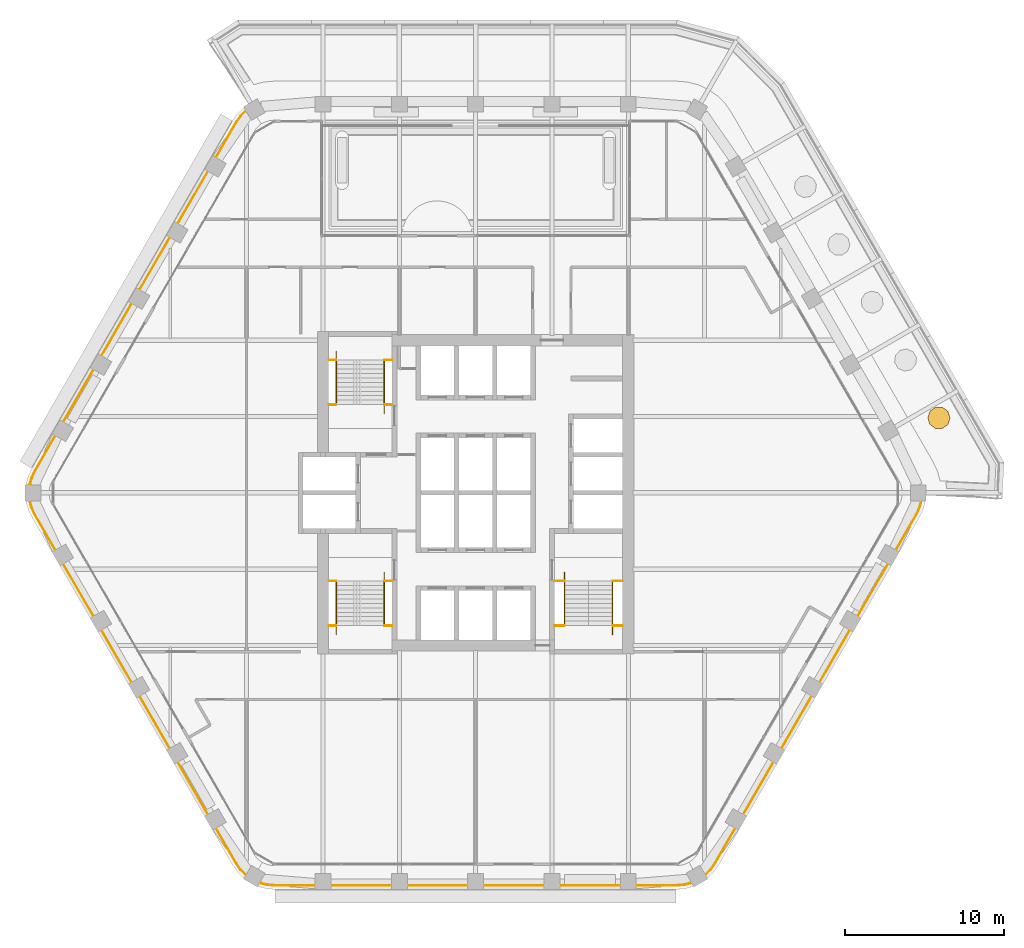
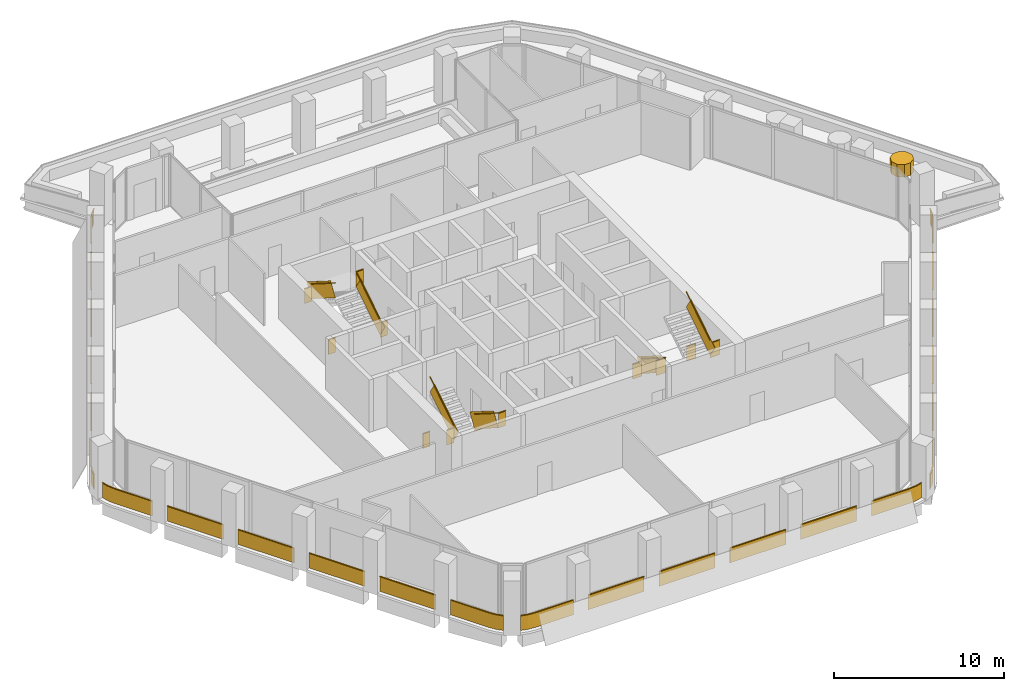
# One storey, part 16 of 17: 10 railings, 1 covering.
"""IFC4 building model written with IfcOpenShell, lengths in metres."""

from ifc_helpers import new_model, si_unit, direction, frame, frame_2d, origin, origin_2d, place, context, subcontext, project, spatial, polyline, rectangle, outline, extrude, material, layer, layer_set, type_object, element, save


model = new_model("IFC4")

# Units and contexts
model_context = context("Model", 3, precision=1e-05, world=origin(), true_north=direction((0.0, 1.0)))
body_context = subcontext(model_context, "Body", "Model", "MODEL_VIEW")
ifc_project = project(units=[si_unit("LENGTHUNIT", "METRE"), si_unit("AREAUNIT", "SQUARE_METRE"), si_unit("VOLUMEUNIT", "CUBIC_METRE"), si_unit("PLANEANGLEUNIT", "RADIAN"), si_unit("MASSUNIT", "GRAM", prefix="KILO")], contexts=[model_context])

# Site, building, storey
site_placement = place(None, origin())
site = spatial("IfcSite", under=ifc_project, at=site_placement, CompositionType="ELEMENT")
building_placement = place(site_placement, origin())
building = spatial("IfcBuilding", under=site, at=building_placement, Name="Kolab Exchange Tower", CompositionType="ELEMENT")
storey_placement = place(building_placement, frame((0.0, 0.0, 166.10009765625)))
storey = spatial("IfcBuildingStorey", under=building, at=storey_placement, Name="L34", CompositionType="ELEMENT", Elevation=166.10009765625)

# Railings
ifc_material_1 = material(Name="Stainless steel 316", Category="steel")
railing_type_1 = type_object("IfcRailingType", Name="GUARD 1100", PredefinedType="GUARDRAIL", material=ifc_material_1)
railing_1_placement = place(storey_placement, frame((-9.25, 5.550048828125, 0.0)))
element("IfcRailing", 1, at=railing_1_placement, inside=storey, type_object=railing_type_1, Name="Guard ST1", PredefinedType="GUARDRAIL", context=body_context, shape_type="SweptSolid", body=[
    extrude(rectangle(XDim=0.05, YDim=0.05, at=origin_2d()), frame((0.0, 0.0, 1.0751953125), z_axis=(1.0, 0.0, 0.0), x_axis=(0.0, 1.0, 0.0)), (0.0, 0.0, 1.0), 0.489990234375),
    extrude(rectangle(XDim=0.012, YDim=1.05009765625, at=frame_2d((0.0, 0.525146484375))), frame((0.0, 0.0, 0.0), z_axis=(1.0, 0.0, 0.0), x_axis=(0.0, 1.0, 0.0)), (0.0, 0.0, 1.0), 0.489990234375),
    extrude(rectangle(XDim=0.05, YDim=0.05, at=origin_2d()), frame((3.510009765625, 0.0, 1.0751953125), z_axis=(1.0, 0.0, 0.0), x_axis=(0.0, 1.0, 0.0)), (0.0, 0.0, 1.0), 0.489990234375),
    extrude(rectangle(XDim=0.012, YDim=1.05009765625, at=frame_2d((0.0, 0.525146484375))), frame((3.510009765625, 0.0, 0.0), z_axis=(1.0, 0.0, 0.0), x_axis=(0.0, 1.0, 0.0)), (0.0, 0.0, 1.0), 0.489990234375),
    extrude(rectangle(XDim=0.05, YDim=0.05, at=origin_2d()), frame((0.0, 2.800048828125, 3.025146484375), z_axis=(1.0, 0.0, 0.0), x_axis=(0.0, 1.0, 0.0)), (0.0, 0.0, 1.0), 0.489990234375),
    extrude(rectangle(XDim=0.012, YDim=1.05009765625, at=frame_2d((0.0, 0.525146484375))), frame((0.0, 2.800048828125, 1.949951171875), z_axis=(1.0, 0.0, 0.0), x_axis=(0.0, 1.0, 0.0)), (0.0, 0.0, 1.0), 0.489990234375),
    extrude(rectangle(XDim=0.05, YDim=0.05, at=origin_2d()), frame((3.510009765625, 2.800048828125, 3.025146484375), z_axis=(1.0, 0.0, 0.0), x_axis=(0.0, 1.0, 0.0)), (0.0, 0.0, 1.0), 0.489990234375),
    extrude(rectangle(XDim=0.012, YDim=1.05009765625, at=frame_2d((0.0, 0.525146484375))), frame((3.510009765625, 2.800048828125, 1.949951171875), z_axis=(1.0, 0.0, 0.0), x_axis=(0.0, 1.0, 0.0)), (0.0, 0.0, 1.0), 0.489990234375),
])
railing_2_placement = place(storey_placement, frame((-5.739990234375, 5.550048828125, 0.17724609375)))
element("IfcRailing", 2, at=railing_2_placement, inside=storey, type_object=railing_type_1, Name="Handrail guard ST1", PredefinedType="GUARDRAIL", context=body_context, shape_type="SweptSolid", body=[
    extrude(rectangle(XDim=0.05, YDim=0.05, at=origin_2d()), frame((0.0, 0.0, 1.0751953125), z_axis=(0.0, 0.844908973607, 0.534910110503), x_axis=(-1.0, 0.0, 0.0)), (0.0, 0.0, 1.0), 3.31396484375),
    extrude(rectangle(XDim=0.012, YDim=1.05009765625, at=frame_2d((0.0, 0.525146484375))), frame((0.0, 0.0, 0.0), z_axis=(0.0, 0.844908973607, 0.534910110503), x_axis=(-1.0, 0.0, 0.0)), (0.0, 0.0, 1.0), 3.31396484375),
    extrude(rectangle(XDim=0.05, YDim=0.05, at=origin_2d()), frame((-3.02001953125, 2.800048828125, 3.025146484375), z_axis=(0.0, -0.844908973607, 0.534910110503), x_axis=(1.0, 0.0, 0.0)), (0.0, 0.0, 1.0), 3.31396484375),
    extrude(rectangle(XDim=0.012, YDim=1.05009765625, at=frame_2d((0.0, 0.525146484375))), frame((-3.02001953125, 2.800048828125, 1.949951171875), z_axis=(0.0, -0.844908973607, 0.534910110503), x_axis=(1.0, 0.0, 0.0)), (0.0, 0.0, 1.0), 3.31396484375),
])
railing_3_placement = place(storey_placement, frame((-9.25, -5.550048828125, 0.0)))
element("IfcRailing", 3, at=railing_3_placement, inside=storey, type_object=railing_type_1, Name="Guard ST3", PredefinedType="GUARDRAIL", context=body_context, shape_type="SweptSolid", body=[
    extrude(rectangle(XDim=0.05, YDim=0.05, at=origin_2d()), frame((0.0, 0.0, 1.0751953125), z_axis=(1.0, 0.0, 0.0), x_axis=(0.0, 1.0, 0.0)), (0.0, 0.0, 1.0), 0.489990234375),
    extrude(rectangle(XDim=0.012, YDim=1.05009765625, at=frame_2d((0.0, 0.525146484375))), frame((0.0, 0.0, 0.0), z_axis=(1.0, 0.0, 0.0), x_axis=(0.0, 1.0, 0.0)), (0.0, 0.0, 1.0), 0.489990234375),
    extrude(rectangle(XDim=0.05, YDim=0.05, at=origin_2d()), frame((3.510009765625, 0.0, 1.0751953125), z_axis=(1.0, 0.0, 0.0), x_axis=(0.0, 1.0, 0.0)), (0.0, 0.0, 1.0), 0.489990234375),
    extrude(rectangle(XDim=0.012, YDim=1.05009765625, at=frame_2d((0.0, 0.525146484375))), frame((3.510009765625, 0.0, 0.0), z_axis=(1.0, 0.0, 0.0), x_axis=(0.0, 1.0, 0.0)), (0.0, 0.0, 1.0), 0.489990234375),
    extrude(rectangle(XDim=0.05, YDim=0.05, at=origin_2d()), frame((0.0, -2.800048828125, 3.025146484375), z_axis=(1.0, 0.0, 0.0), x_axis=(0.0, 1.0, 0.0)), (0.0, 0.0, 1.0), 0.489990234375),
    extrude(rectangle(XDim=0.012, YDim=1.05009765625, at=frame_2d((0.0, 0.525146484375))), frame((0.0, -2.800048828125, 1.949951171875), z_axis=(1.0, 0.0, 0.0), x_axis=(0.0, 1.0, 0.0)), (0.0, 0.0, 1.0), 0.489990234375),
    extrude(rectangle(XDim=0.05, YDim=0.05, at=origin_2d()), frame((3.510009765625, -2.800048828125, 3.025146484375), z_axis=(1.0, 0.0, 0.0), x_axis=(0.0, 1.0, 0.0)), (0.0, 0.0, 1.0), 0.489990234375),
    extrude(rectangle(XDim=0.012, YDim=1.05009765625, at=frame_2d((0.0, 0.525146484375))), frame((3.510009765625, -2.800048828125, 1.949951171875), z_axis=(1.0, 0.0, 0.0), x_axis=(0.0, 1.0, 0.0)), (0.0, 0.0, 1.0), 0.489990234375),
])
railing_4_placement = place(storey_placement, frame((-5.739990234375, -5.550048828125, 0.17724609375)))
element("IfcRailing", 4, at=railing_4_placement, inside=storey, type_object=railing_type_1, Name="Handrail guard ST3", PredefinedType="GUARDRAIL", context=body_context, shape_type="SweptSolid", body=[
    extrude(rectangle(XDim=0.05, YDim=0.05, at=origin_2d()), frame((0.0, 0.0, 1.0751953125), z_axis=(0.0, -0.844908973607, 0.534910110503), x_axis=(1.0, 0.0, 0.0)), (0.0, 0.0, 1.0), 3.31396484375),
    extrude(rectangle(XDim=0.012, YDim=1.05009765625, at=frame_2d((0.0, 0.525146484375))), frame((0.0, 0.0, 0.0), z_axis=(0.0, -0.844908973607, 0.534910110503), x_axis=(1.0, 0.0, 0.0)), (0.0, 0.0, 1.0), 3.31396484375),
    extrude(rectangle(XDim=0.05, YDim=0.05, at=origin_2d()), frame((-3.02001953125, -2.800048828125, 3.025146484375), z_axis=(0.0, 0.844908973607, 0.534910110503), x_axis=(-1.0, 0.0, 0.0)), (0.0, 0.0, 1.0), 3.31396484375),
    extrude(rectangle(XDim=0.012, YDim=1.05009765625, at=frame_2d((0.0, 0.525146484375))), frame((-3.02001953125, -2.800048828125, 1.949951171875), z_axis=(0.0, 0.844908973607, 0.534910110503), x_axis=(-1.0, 0.0, 0.0)), (0.0, 0.0, 1.0), 3.31396484375),
])
railing_5_placement = place(storey_placement, frame((4.949951171875, -5.550048828125, 0.0)))
element("IfcRailing", 5, at=railing_5_placement, inside=storey, type_object=railing_type_1, Name="Guard ST2", PredefinedType="GUARDRAIL", context=body_context, shape_type="SweptSolid", body=[
    extrude(rectangle(XDim=0.05, YDim=0.05, at=origin_2d()), frame((0.0, 0.0, 1.0751953125), z_axis=(1.0, 0.0, 0.0), x_axis=(0.0, 1.0, 0.0)), (0.0, 0.0, 1.0), 0.64013671875),
    extrude(rectangle(XDim=0.012, YDim=1.05009765625, at=frame_2d((0.0, 0.525146484375))), frame((0.0, 0.0, 0.0), z_axis=(1.0, 0.0, 0.0), x_axis=(0.0, 1.0, 0.0)), (0.0, 0.0, 1.0), 0.64013671875),
    extrude(rectangle(XDim=0.05, YDim=0.05, at=origin_2d()), frame((3.66015625, 0.0, 1.0751953125), z_axis=(1.0, 0.0, 0.0), x_axis=(0.0, 1.0, 0.0)), (0.0, 0.0, 1.0), 0.639892578125),
    extrude(rectangle(XDim=0.012, YDim=1.05009765625, at=frame_2d((0.0, 0.525146484375))), frame((3.66015625, 0.0, 0.0), z_axis=(1.0, 0.0, 0.0), x_axis=(0.0, 1.0, 0.0)), (0.0, 0.0, 1.0), 0.639892578125),
    extrude(rectangle(XDim=0.05, YDim=0.05, at=origin_2d()), frame((0.0, -2.800048828125, 3.025146484375), z_axis=(1.0, 0.0, 0.0), x_axis=(0.0, 1.0, 0.0)), (0.0, 0.0, 1.0), 0.64013671875),
    extrude(rectangle(XDim=0.012, YDim=1.05009765625, at=frame_2d((0.0, 0.525146484375))), frame((0.0, -2.800048828125, 1.949951171875), z_axis=(1.0, 0.0, 0.0), x_axis=(0.0, 1.0, 0.0)), (0.0, 0.0, 1.0), 0.64013671875),
    extrude(rectangle(XDim=0.05, YDim=0.05, at=origin_2d()), frame((3.66015625, -2.800048828125, 3.025146484375), z_axis=(1.0, 0.0, 0.0), x_axis=(0.0, 1.0, 0.0)), (0.0, 0.0, 1.0), 0.639892578125),
    extrude(rectangle(XDim=0.012, YDim=1.05009765625, at=frame_2d((0.0, 0.525146484375))), frame((3.66015625, -2.800048828125, 1.949951171875), z_axis=(1.0, 0.0, 0.0), x_axis=(0.0, 1.0, 0.0)), (0.0, 0.0, 1.0), 0.639892578125),
])
railing_6_placement = place(storey_placement, frame((5.590087890625, -5.550048828125, 0.17724609375)))
element("IfcRailing", 6, at=railing_6_placement, inside=storey, type_object=railing_type_1, Name="Handrail guard ST2", PredefinedType="GUARDRAIL", context=body_context, shape_type="SweptSolid", body=[
    extrude(rectangle(XDim=0.05, YDim=0.05, at=origin_2d()), frame((0.0, 0.0, 1.0751953125), z_axis=(0.0, -0.844908973607, 0.534910110503), x_axis=(1.0, 0.0, 0.0)), (0.0, 0.0, 1.0), 3.31396484375),
    extrude(rectangle(XDim=0.012, YDim=1.05009765625, at=frame_2d((0.0, 0.525146484375))), frame((0.0, 0.0, 0.0), z_axis=(0.0, -0.844908973607, 0.534910110503), x_axis=(1.0, 0.0, 0.0)), (0.0, 0.0, 1.0), 3.31396484375),
    extrude(rectangle(XDim=0.05, YDim=0.05, at=origin_2d()), frame((3.02001953125, -2.800048828125, 3.025146484375), z_axis=(0.0, 0.844908973607, 0.534910110503), x_axis=(-1.0, 0.0, 0.0)), (0.0, 0.0, 1.0), 3.31396484375),
    extrude(rectangle(XDim=0.012, YDim=1.05009765625, at=frame_2d((0.0, 0.525146484375))), frame((3.02001953125, -2.800048828125, 1.949951171875), z_axis=(0.0, 0.844908973607, 0.534910110503), x_axis=(-1.0, 0.0, 0.0)), (0.0, 0.0, 1.0), 3.31396484375),
])
ifc_material_2 = material(Name="Steel S235", Category="steel")
railing_type_2 = type_object("IfcRailingType", Name="GUARD 1100 GLASS BALUSTRADE AND STEEL TOP RAIL", PredefinedType="GUARDRAIL", material=ifc_material_2)
railing_7_placement = place(storey_placement, frame((14.4501953125, -24.033447265625, 0.0)))
element("IfcRailing", 7, at=railing_7_placement, inside=storey, type_object=railing_type_2, Name="Guard", PredefinedType="GUARDRAIL", context=body_context, shape_type="SweptSolid", body=[
    extrude(rectangle(XDim=0.05, YDim=0.05, at=origin_2d()), frame((0.0, 0.0, 1.0751953125), z_axis=(0.70737286085, 0.706840601361, 0.0), x_axis=(-0.706840601361, 0.70737286085, 0.0)), (0.0, 0.0, 1.0), 0.458740234375),
    extrude(rectangle(XDim=0.012, YDim=1.05009765625, at=frame_2d((0.0, 0.525146484375))), frame((0.0, 0.0, 0.0), z_axis=(0.70737286085, 0.706840601361, 0.0), x_axis=(-0.706840601361, 0.70737286085, 0.0)), (0.0, 0.0, 1.0), 0.458740234375),
    extrude(rectangle(XDim=0.05, YDim=0.05, at=origin_2d()), frame((0.324462890625, 0.32421875, 1.0751953125), z_axis=(0.573599091554, 0.819136180478, 0.0), x_axis=(-0.819136180478, 0.573599091554, 0.0)), (0.0, 0.0, 1.0), 0.479248046875),
    extrude(rectangle(XDim=0.012, YDim=1.05009765625, at=frame_2d((0.0, 0.525146484375))), frame((0.324462890625, 0.32421875, 0.0), z_axis=(0.573599091554, 0.819136180478, 0.0), x_axis=(-0.819136180478, 0.573599091554, 0.0)), (0.0, 0.0, 1.0), 0.479248046875),
    extrude(rectangle(XDim=0.05, YDim=0.05, at=origin_2d()), frame((0.599365234375, 0.716796875, 1.0751953125), z_axis=(0.499952873616, 0.866052610505, 0.0), x_axis=(-0.866052610505, 0.499952873616, 0.0)), (0.0, 0.0, 1.0), 2.568115234375),
    extrude(rectangle(XDim=0.012, YDim=1.05009765625, at=frame_2d((0.0, 0.525146484375))), frame((0.599365234375, 0.716796875, 0.0), z_axis=(0.499952873616, 0.866052610505, 0.0), x_axis=(-0.866052610505, 0.499952873616, 0.0)), (0.0, 0.0, 1.0), 2.568115234375),
    extrude(rectangle(XDim=0.05, YDim=0.05, at=origin_2d()), frame((2.38330078125, 3.806884765625, 1.0751953125), z_axis=(0.499994975061, 0.866028304915, 0.0), x_axis=(-0.866028304915, 0.499994975061, 0.0)), (0.0, 0.0, 1.0), 3.7998046875),
    extrude(rectangle(XDim=0.012, YDim=1.05009765625, at=frame_2d((0.0, 0.525146484375))), frame((2.38330078125, 3.806884765625, 0.0), z_axis=(0.499994975061, 0.866028304915, 0.0), x_axis=(-0.866028304915, 0.499994975061, 0.0)), (0.0, 0.0, 1.0), 3.7998046875),
    extrude(rectangle(XDim=0.05, YDim=0.05, at=origin_2d()), frame((4.783203125, 7.9638671875, 1.0751953125), z_axis=(0.500043160704, 0.866000483506, 0.0), x_axis=(-0.866000483506, 0.500043160704, 0.0)), (0.0, 0.0, 1.0), 3.800048828125),
    extrude(rectangle(XDim=0.012, YDim=1.05009765625, at=frame_2d((0.0, 0.525146484375))), frame((4.783203125, 7.9638671875, 0.0), z_axis=(0.500043160704, 0.866000483506, 0.0), x_axis=(-0.866000483506, 0.500043160704, 0.0)), (0.0, 0.0, 1.0), 3.800048828125),
    extrude(rectangle(XDim=0.05, YDim=0.05, at=origin_2d()), frame((7.183349609375, 12.12060546875, 1.0751953125), z_axis=(0.499967155389, 0.866044365799, 0.0), x_axis=(-0.866044365799, 0.499967155389, 0.0)), (0.0, 0.0, 1.0), 3.800048828125),
    extrude(rectangle(XDim=0.012, YDim=1.05009765625, at=frame_2d((0.0, 0.525146484375))), frame((7.183349609375, 12.12060546875, 0.0), z_axis=(0.499967155389, 0.866044365799, 0.0), x_axis=(-0.866044365799, 0.499967155389, 0.0)), (0.0, 0.0, 1.0), 3.800048828125),
    extrude(rectangle(XDim=0.05, YDim=0.05, at=origin_2d()), frame((9.583251953125, 16.277587890625, 1.0751953125), z_axis=(0.500015340139, 0.86601654697, 0.0), x_axis=(-0.86601654697, 0.500015340139, 0.0)), (0.0, 0.0, 1.0), 3.80029296875),
    extrude(rectangle(XDim=0.012, YDim=1.05009765625, at=frame_2d((0.0, 0.525146484375))), frame((9.583251953125, 16.277587890625, 0.0), z_axis=(0.500015340139, 0.86601654697, 0.0), x_axis=(-0.86601654697, 0.500015340139, 0.0)), (0.0, 0.0, 1.0), 3.80029296875),
    extrude(rectangle(XDim=0.05, YDim=0.05, at=origin_2d()), frame((11.9833984375, 20.4345703125, 1.0751953125), z_axis=(0.499994038704, 0.866028845513, 0.0), x_axis=(-0.866028845513, 0.499994038704, 0.0)), (0.0, 0.0, 1.0), 2.56787109375),
    extrude(rectangle(XDim=0.012, YDim=1.05009765625, at=frame_2d((0.0, 0.525146484375))), frame((11.9833984375, 20.4345703125, 0.0), z_axis=(0.499994038704, 0.866028845513, 0.0), x_axis=(-0.866028845513, 0.499994038704, 0.0)), (0.0, 0.0, 1.0), 2.56787109375),
    extrude(rectangle(XDim=0.05, YDim=0.05, at=origin_2d()), frame((13.267333984375, 22.658447265625, 1.0751953125), z_axis=(0.422801802984, 0.906222177721, 0.0), x_axis=(-0.906222177721, 0.422801802984, 0.0)), (0.0, 0.0, 1.0), 0.479248046875),
    extrude(rectangle(XDim=0.012, YDim=1.05009765625, at=frame_2d((0.0, 0.525146484375))), frame((13.267333984375, 22.658447265625, 0.0), z_axis=(0.422801802984, 0.906222177721, 0.0), x_axis=(-0.906222177721, 0.422801802984, 0.0)), (0.0, 0.0, 1.0), 0.479248046875),
    extrude(rectangle(XDim=0.05, YDim=0.05, at=origin_2d()), frame((13.469970703125, 23.0927734375, 1.0751953125), z_axis=(0.25865627591, 0.965969425465, 0.0), x_axis=(-0.965969425465, 0.25865627591, 0.0)), (0.0, 0.0, 1.0), 0.458740234375),
    extrude(rectangle(XDim=0.012, YDim=1.05009765625, at=frame_2d((0.0, 0.525146484375))), frame((13.469970703125, 23.0927734375, 0.0), z_axis=(0.25865627591, 0.965969425465, 0.0), x_axis=(-0.965969425465, 0.25865627591, 0.0)), (0.0, 0.0, 1.0), 0.458740234375),
])
railing_8_placement = place(storey_placement, frame((-13.588623046875, -24.531005859375, 0.0)))
element("IfcRailing", 8, at=railing_8_placement, inside=storey, type_object=railing_type_2, Name="Guard", PredefinedType="GUARDRAIL", context=body_context, shape_type="SweptSolid", body=[
    extrude(rectangle(XDim=0.05, YDim=0.05, at=origin_2d()), frame((0.0, 0.0, 1.0751953125), z_axis=(0.965969425465, -0.25865627591, 0.0), x_axis=(0.25865627591, 0.965969425465, 0.0)), (0.0, 0.0, 1.0), 0.458740234375),
    extrude(rectangle(XDim=0.012, YDim=1.05009765625, at=frame_2d((0.0, 0.525146484375))), frame((0.0, 0.0, 0.0), z_axis=(0.965969425465, -0.25865627591, 0.0), x_axis=(0.25865627591, 0.965969425465, 0.0)), (0.0, 0.0, 1.0), 0.458740234375),
    extrude(rectangle(XDim=0.05, YDim=0.05, at=origin_2d()), frame((0.443115234375, -0.11865234375, 1.0751953125), z_axis=(0.996156034798, -0.087596542937, 0.0), x_axis=(0.087596542937, 0.996156034798, 0.0)), (0.0, 0.0, 1.0), 0.4794921875),
    extrude(rectangle(XDim=0.012, YDim=1.05009765625, at=frame_2d((0.0, 0.525146484375))), frame((0.443115234375, -0.11865234375, 0.0), z_axis=(0.996156034798, -0.087596542937, 0.0), x_axis=(0.087596542937, 0.996156034798, 0.0)), (0.0, 0.0, 1.0), 0.4794921875),
    extrude(rectangle(XDim=0.05, YDim=0.05, at=origin_2d()), frame((0.920654296875, -0.16064453125, 1.0751953125), z_axis=(1.0, 0.0, 0.0), x_axis=(0.0, 1.0, 0.0)), (0.0, 0.0, 1.0), 2.56787109375),
    extrude(rectangle(XDim=0.012, YDim=1.05009765625, at=frame_2d((0.0, 0.525146484375))), frame((0.920654296875, -0.16064453125, 0.0), z_axis=(1.0, 0.0, 0.0), x_axis=(0.0, 1.0, 0.0)), (0.0, 0.0, 1.0), 2.56787109375),
    extrude(rectangle(XDim=0.05, YDim=0.05, at=origin_2d()), frame((4.488525390625, -0.16064453125, 1.0751953125), z_axis=(1.0, 0.0, 0.0), x_axis=(0.0, 1.0, 0.0)), (0.0, 0.0, 1.0), 3.800048828125),
    extrude(rectangle(XDim=0.012, YDim=1.05009765625, at=frame_2d((0.0, 0.525146484375))), frame((4.488525390625, -0.16064453125, 0.0), z_axis=(1.0, 0.0, 0.0), x_axis=(0.0, 1.0, 0.0)), (0.0, 0.0, 1.0), 3.800048828125),
    extrude(rectangle(XDim=0.05, YDim=0.05, at=origin_2d()), frame((9.28857421875, -0.16064453125, 1.0751953125), z_axis=(1.0, 0.0, 0.0), x_axis=(0.0, 1.0, 0.0)), (0.0, 0.0, 1.0), 3.800048828125),
    extrude(rectangle(XDim=0.012, YDim=1.05009765625, at=frame_2d((0.0, 0.525146484375))), frame((9.28857421875, -0.16064453125, 0.0), z_axis=(1.0, 0.0, 0.0), x_axis=(0.0, 1.0, 0.0)), (0.0, 0.0, 1.0), 3.800048828125),
    extrude(rectangle(XDim=0.05, YDim=0.05, at=origin_2d()), frame((14.088623046875, -0.16064453125, 1.0751953125), z_axis=(1.0, 0.0, 0.0), x_axis=(0.0, 1.0, 0.0)), (0.0, 0.0, 1.0), 3.800048828125),
    extrude(rectangle(XDim=0.012, YDim=1.05009765625, at=frame_2d((0.0, 0.525146484375))), frame((14.088623046875, -0.16064453125, 0.0), z_axis=(1.0, 0.0, 0.0), x_axis=(0.0, 1.0, 0.0)), (0.0, 0.0, 1.0), 3.800048828125),
    extrude(rectangle(XDim=0.05, YDim=0.05, at=origin_2d()), frame((18.888671875, -0.16064453125, 1.0751953125), z_axis=(1.0, 0.0, 0.0), x_axis=(0.0, 1.0, 0.0)), (0.0, 0.0, 1.0), 3.800048828125),
    extrude(rectangle(XDim=0.012, YDim=1.05009765625, at=frame_2d((0.0, 0.525146484375))), frame((18.888671875, -0.16064453125, 0.0), z_axis=(1.0, 0.0, 0.0), x_axis=(0.0, 1.0, 0.0)), (0.0, 0.0, 1.0), 3.800048828125),
    extrude(rectangle(XDim=0.05, YDim=0.05, at=origin_2d()), frame((23.688720703125, -0.16064453125, 1.0751953125), z_axis=(1.0, 0.0, 0.0), x_axis=(0.0, 1.0, 0.0)), (0.0, 0.0, 1.0), 2.56787109375),
    extrude(rectangle(XDim=0.012, YDim=1.05009765625, at=frame_2d((0.0, 0.525146484375))), frame((23.688720703125, -0.16064453125, 0.0), z_axis=(1.0, 0.0, 0.0), x_axis=(0.0, 1.0, 0.0)), (0.0, 0.0, 1.0), 2.56787109375),
    extrude(rectangle(XDim=0.05, YDim=0.05, at=origin_2d()), frame((26.256591796875, -0.16064453125, 1.0751953125), z_axis=(0.996156034798, 0.087596542937, 0.0), x_axis=(-0.087596542937, 0.996156034798, 0.0)), (0.0, 0.0, 1.0), 0.4794921875),
    extrude(rectangle(XDim=0.012, YDim=1.05009765625, at=frame_2d((0.0, 0.525146484375))), frame((26.256591796875, -0.16064453125, 0.0), z_axis=(0.996156034798, 0.087596542937, 0.0), x_axis=(-0.087596542937, 0.996156034798, 0.0)), (0.0, 0.0, 1.0), 0.4794921875),
    extrude(rectangle(XDim=0.05, YDim=0.05, at=origin_2d()), frame((26.734130859375, -0.11865234375, 1.0751953125), z_axis=(0.965969425465, 0.25865627591, 0.0), x_axis=(-0.25865627591, 0.965969425465, 0.0)), (0.0, 0.0, 1.0), 0.458740234375),
    extrude(rectangle(XDim=0.012, YDim=1.05009765625, at=frame_2d((0.0, 0.525146484375))), frame((26.734130859375, -0.11865234375, 0.0), z_axis=(0.965969425465, 0.25865627591, 0.0), x_axis=(-0.25865627591, 0.965969425465, 0.0)), (0.0, 0.0, 1.0), 0.458740234375),
])
railing_9_placement = place(storey_placement, frame((-28.038818359375, -0.49755859375, 0.0)))
element("IfcRailing", 9, at=railing_9_placement, inside=storey, type_object=railing_type_2, Name="Guard", PredefinedType="GUARDRAIL", context=body_context, shape_type="SweptSolid", body=[
    extrude(rectangle(XDim=0.05, YDim=0.05, at=origin_2d()), frame((0.0, 0.0, 1.0751953125), z_axis=(0.25865627591, -0.965969425465, 0.0), x_axis=(0.965969425465, 0.25865627591, 0.0)), (0.0, 0.0, 1.0), 0.458740234375),
    extrude(rectangle(XDim=0.012, YDim=1.05009765625, at=frame_2d((0.0, 0.525146484375))), frame((0.0, 0.0, 0.0), z_axis=(0.25865627591, -0.965969425465, 0.0), x_axis=(0.965969425465, 0.25865627591, 0.0)), (0.0, 0.0, 1.0), 0.458740234375),
    extrude(rectangle(XDim=0.05, YDim=0.05, at=origin_2d()), frame((0.11865234375, -0.443115234375, 1.0751953125), z_axis=(0.422801802984, -0.906222177721, 0.0), x_axis=(0.906222177721, 0.422801802984, 0.0)), (0.0, 0.0, 1.0), 0.479248046875),
    extrude(rectangle(XDim=0.012, YDim=1.05009765625, at=frame_2d((0.0, 0.525146484375))), frame((0.11865234375, -0.443115234375, 0.0), z_axis=(0.422801802984, -0.906222177721, 0.0), x_axis=(0.906222177721, 0.422801802984, 0.0)), (0.0, 0.0, 1.0), 0.479248046875),
    extrude(rectangle(XDim=0.05, YDim=0.05, at=origin_2d()), frame((0.3212890625, -0.87744140625, 1.0751953125), z_axis=(0.499994038704, -0.866028845513, 0.0), x_axis=(0.866028845513, 0.499994038704, 0.0)), (0.0, 0.0, 1.0), 2.56787109375),
    extrude(rectangle(XDim=0.012, YDim=1.05009765625, at=frame_2d((0.0, 0.525146484375))), frame((0.3212890625, -0.87744140625, 0.0), z_axis=(0.499994038704, -0.866028845513, 0.0), x_axis=(0.866028845513, 0.499994038704, 0.0)), (0.0, 0.0, 1.0), 2.56787109375),
    extrude(rectangle(XDim=0.05, YDim=0.05, at=origin_2d()), frame((2.105224609375, -3.96728515625, 1.0751953125), z_axis=(0.500015340139, -0.86601654697, 0.0), x_axis=(0.86601654697, 0.500015340139, 0.0)), (0.0, 0.0, 1.0), 3.80029296875),
    extrude(rectangle(XDim=0.012, YDim=1.05009765625, at=frame_2d((0.0, 0.525146484375))), frame((2.105224609375, -3.96728515625, 0.0), z_axis=(0.500015340139, -0.86601654697, 0.0), x_axis=(0.86601654697, 0.500015340139, 0.0)), (0.0, 0.0, 1.0), 3.80029296875),
    extrude(rectangle(XDim=0.05, YDim=0.05, at=origin_2d()), frame((4.50537109375, -8.124267578125, 1.0751953125), z_axis=(0.499967155389, -0.866044365799, 0.0), x_axis=(0.866044365799, 0.499967155389, 0.0)), (0.0, 0.0, 1.0), 3.800048828125),
    extrude(rectangle(XDim=0.012, YDim=1.05009765625, at=frame_2d((0.0, 0.525146484375))), frame((4.50537109375, -8.124267578125, 0.0), z_axis=(0.499967155389, -0.866044365799, 0.0), x_axis=(0.866044365799, 0.499967155389, 0.0)), (0.0, 0.0, 1.0), 3.800048828125),
    extrude(rectangle(XDim=0.05, YDim=0.05, at=origin_2d()), frame((6.9052734375, -12.28125, 1.0751953125), z_axis=(0.500043160704, -0.866000483506, 0.0), x_axis=(0.866000483506, 0.500043160704, 0.0)), (0.0, 0.0, 1.0), 3.800048828125),
    extrude(rectangle(XDim=0.012, YDim=1.05009765625, at=frame_2d((0.0, 0.525146484375))), frame((6.9052734375, -12.28125, 0.0), z_axis=(0.500043160704, -0.866000483506, 0.0), x_axis=(0.866000483506, 0.500043160704, 0.0)), (0.0, 0.0, 1.0), 3.800048828125),
    extrude(rectangle(XDim=0.05, YDim=0.05, at=origin_2d()), frame((9.305419921875, -16.438232421875, 1.0751953125), z_axis=(0.499994975061, -0.866028304915, 0.0), x_axis=(0.866028304915, 0.499994975061, 0.0)), (0.0, 0.0, 1.0), 3.7998046875),
    extrude(rectangle(XDim=0.012, YDim=1.05009765625, at=frame_2d((0.0, 0.525146484375))), frame((9.305419921875, -16.438232421875, 0.0), z_axis=(0.499994975061, -0.866028304915, 0.0), x_axis=(0.866028304915, 0.499994975061, 0.0)), (0.0, 0.0, 1.0), 3.7998046875),
    extrude(rectangle(XDim=0.05, YDim=0.05, at=origin_2d()), frame((11.705322265625, -20.594970703125, 1.0751953125), z_axis=(0.499952873616, -0.866052610505, 0.0), x_axis=(0.866052610505, 0.499952873616, 0.0)), (0.0, 0.0, 1.0), 2.568115234375),
    extrude(rectangle(XDim=0.012, YDim=1.05009765625, at=frame_2d((0.0, 0.525146484375))), frame((11.705322265625, -20.594970703125, 0.0), z_axis=(0.499952873616, -0.866052610505, 0.0), x_axis=(0.866052610505, 0.499952873616, 0.0)), (0.0, 0.0, 1.0), 2.568115234375),
    extrude(rectangle(XDim=0.05, YDim=0.05, at=origin_2d()), frame((12.9892578125, -22.819091796875, 1.0751953125), z_axis=(0.573599091554, -0.819136180478, 0.0), x_axis=(0.819136180478, 0.573599091554, 0.0)), (0.0, 0.0, 1.0), 0.479248046875),
    extrude(rectangle(XDim=0.012, YDim=1.05009765625, at=frame_2d((0.0, 0.525146484375))), frame((12.9892578125, -22.819091796875, 0.0), z_axis=(0.573599091554, -0.819136180478, 0.0), x_axis=(0.819136180478, 0.573599091554, 0.0)), (0.0, 0.0, 1.0), 0.479248046875),
    extrude(rectangle(XDim=0.05, YDim=0.05, at=origin_2d()), frame((13.26416015625, -23.211669921875, 1.0751953125), z_axis=(0.70737286085, -0.706840601361, 0.0), x_axis=(0.706840601361, 0.70737286085, 0.0)), (0.0, 0.0, 1.0), 0.458740234375),
    extrude(rectangle(XDim=0.012, YDim=1.05009765625, at=frame_2d((0.0, 0.525146484375))), frame((13.26416015625, -23.211669921875, 0.0), z_axis=(0.70737286085, -0.706840601361, 0.0), x_axis=(0.706840601361, 0.70737286085, 0.0)), (0.0, 0.0, 1.0), 0.458740234375),
])
railing_10_placement = place(storey_placement, frame((-14.4501953125, 24.033447265625, 0.0)))
element("IfcRailing", 10, at=railing_10_placement, inside=storey, type_object=railing_type_2, Name="Guard", PredefinedType="GUARDRAIL", context=body_context, shape_type="SweptSolid", body=[
    extrude(rectangle(XDim=0.05, YDim=0.05, at=origin_2d()), frame((0.0, 0.0, 1.0751953125), z_axis=(-0.70737286085, -0.706840601361, 0.0), x_axis=(0.706840601361, -0.70737286085, 0.0)), (0.0, 0.0, 1.0), 0.458740234375),
    extrude(rectangle(XDim=0.012, YDim=1.05009765625, at=frame_2d((0.0, 0.525146484375))), frame((0.0, 0.0, 0.0), z_axis=(-0.70737286085, -0.706840601361, 0.0), x_axis=(0.706840601361, -0.70737286085, 0.0)), (0.0, 0.0, 1.0), 0.458740234375),
    extrude(rectangle(XDim=0.05, YDim=0.05, at=origin_2d()), frame((-0.324462890625, -0.32421875, 1.0751953125), z_axis=(-0.573599091554, -0.819136180478, 0.0), x_axis=(0.819136180478, -0.573599091554, 0.0)), (0.0, 0.0, 1.0), 0.479248046875),
    extrude(rectangle(XDim=0.012, YDim=1.05009765625, at=frame_2d((0.0, 0.525146484375))), frame((-0.324462890625, -0.32421875, 0.0), z_axis=(-0.573599091554, -0.819136180478, 0.0), x_axis=(0.819136180478, -0.573599091554, 0.0)), (0.0, 0.0, 1.0), 0.479248046875),
    extrude(rectangle(XDim=0.05, YDim=0.05, at=origin_2d()), frame((-0.599365234375, -0.716796875, 1.0751953125), z_axis=(-0.499952873616, -0.866052610505, 0.0), x_axis=(0.866052610505, -0.499952873616, 0.0)), (0.0, 0.0, 1.0), 2.568115234375),
    extrude(rectangle(XDim=0.012, YDim=1.05009765625, at=frame_2d((0.0, 0.525146484375))), frame((-0.599365234375, -0.716796875, 0.0), z_axis=(-0.499952873616, -0.866052610505, 0.0), x_axis=(0.866052610505, -0.499952873616, 0.0)), (0.0, 0.0, 1.0), 2.568115234375),
    extrude(rectangle(XDim=0.05, YDim=0.05, at=origin_2d()), frame((-2.38330078125, -3.806884765625, 1.0751953125), z_axis=(-0.499994975061, -0.866028304915, 0.0), x_axis=(0.866028304915, -0.499994975061, 0.0)), (0.0, 0.0, 1.0), 3.7998046875),
    extrude(rectangle(XDim=0.012, YDim=1.05009765625, at=frame_2d((0.0, 0.525146484375))), frame((-2.38330078125, -3.806884765625, 0.0), z_axis=(-0.499994975061, -0.866028304915, 0.0), x_axis=(0.866028304915, -0.499994975061, 0.0)), (0.0, 0.0, 1.0), 3.7998046875),
    extrude(rectangle(XDim=0.05, YDim=0.05, at=origin_2d()), frame((-4.783203125, -7.9638671875, 1.0751953125), z_axis=(-0.500043160704, -0.866000483506, 0.0), x_axis=(0.866000483506, -0.500043160704, 0.0)), (0.0, 0.0, 1.0), 3.800048828125),
    extrude(rectangle(XDim=0.012, YDim=1.05009765625, at=frame_2d((0.0, 0.525146484375))), frame((-4.783203125, -7.9638671875, 0.0), z_axis=(-0.500043160704, -0.866000483506, 0.0), x_axis=(0.866000483506, -0.500043160704, 0.0)), (0.0, 0.0, 1.0), 3.800048828125),
    extrude(rectangle(XDim=0.05, YDim=0.05, at=origin_2d()), frame((-7.183349609375, -12.12060546875, 1.0751953125), z_axis=(-0.499967155389, -0.866044365799, 0.0), x_axis=(0.866044365799, -0.499967155389, 0.0)), (0.0, 0.0, 1.0), 3.800048828125),
    extrude(rectangle(XDim=0.012, YDim=1.05009765625, at=frame_2d((0.0, 0.525146484375))), frame((-7.183349609375, -12.12060546875, 0.0), z_axis=(-0.499967155389, -0.866044365799, 0.0), x_axis=(0.866044365799, -0.499967155389, 0.0)), (0.0, 0.0, 1.0), 3.800048828125),
    extrude(rectangle(XDim=0.05, YDim=0.05, at=origin_2d()), frame((-9.583251953125, -16.277587890625, 1.0751953125), z_axis=(-0.500015340139, -0.86601654697, 0.0), x_axis=(0.86601654697, -0.500015340139, 0.0)), (0.0, 0.0, 1.0), 3.80029296875),
    extrude(rectangle(XDim=0.012, YDim=1.05009765625, at=frame_2d((0.0, 0.525146484375))), frame((-9.583251953125, -16.277587890625, 0.0), z_axis=(-0.500015340139, -0.86601654697, 0.0), x_axis=(0.86601654697, -0.500015340139, 0.0)), (0.0, 0.0, 1.0), 3.80029296875),
    extrude(rectangle(XDim=0.05, YDim=0.05, at=origin_2d()), frame((-11.9833984375, -20.4345703125, 1.0751953125), z_axis=(-0.499994038704, -0.866028845513, 0.0), x_axis=(0.866028845513, -0.499994038704, 0.0)), (0.0, 0.0, 1.0), 2.56787109375),
    extrude(rectangle(XDim=0.012, YDim=1.05009765625, at=frame_2d((0.0, 0.525146484375))), frame((-11.9833984375, -20.4345703125, 0.0), z_axis=(-0.499994038704, -0.866028845513, 0.0), x_axis=(0.866028845513, -0.499994038704, 0.0)), (0.0, 0.0, 1.0), 2.56787109375),
    extrude(rectangle(XDim=0.05, YDim=0.05, at=origin_2d()), frame((-13.267333984375, -22.658447265625, 1.0751953125), z_axis=(-0.422801802984, -0.906222177721, 0.0), x_axis=(0.906222177721, -0.422801802984, 0.0)), (0.0, 0.0, 1.0), 0.479248046875),
    extrude(rectangle(XDim=0.012, YDim=1.05009765625, at=frame_2d((0.0, 0.525146484375))), frame((-13.267333984375, -22.658447265625, 0.0), z_axis=(-0.422801802984, -0.906222177721, 0.0), x_axis=(0.906222177721, -0.422801802984, 0.0)), (0.0, 0.0, 1.0), 0.479248046875),
    extrude(rectangle(XDim=0.05, YDim=0.05, at=origin_2d()), frame((-13.469970703125, -23.0927734375, 1.0751953125), z_axis=(-0.25865627591, -0.965969425465, 0.0), x_axis=(0.965969425465, -0.25865627591, 0.0)), (0.0, 0.0, 1.0), 0.458740234375),
    extrude(rectangle(XDim=0.012, YDim=1.05009765625, at=frame_2d((0.0, 0.525146484375))), frame((-13.469970703125, -23.0927734375, 0.0), z_axis=(-0.25865627591, -0.965969425465, 0.0), x_axis=(0.965969425465, -0.25865627591, 0.0)), (0.0, 0.0, 1.0), 0.458740234375),
])

# Covering
ifc_material_3 = material(Name="Dense shrub planting", Category="soil")
ifc_layer = layer(ifc_material_3, 1.39990234375)
ifc_layer_set = layer_set([ifc_layer], Name="Dense shrub planting")
covering_type = type_object("IfcCoveringType", Name="PLANTED TRELLIS SCREEN AND SHRUB BED", PredefinedType="USERDEFINED", material=ifc_layer_set)
covering_placement = place(storey_placement, frame((0.0, 0.0, 0.25)))
element("IfcCovering", 11, at=covering_placement, inside=storey, type_object=covering_type, Name="Shrub bed", ObjectType="PLANTING", PredefinedType="USERDEFINED", context=body_context, shape_type="SweptSolid", body=[
    extrude(outline(polyline([(29.840087890625, 4.716064453125), (29.70654296875, 5.127685546875), (29.3564453125, 5.3818359375), (28.923828125, 5.3818359375), (28.573974609375, 5.127685546875), (28.440185546875, 4.716064453125), (28.573974609375, 4.3046875), (28.923828125, 4.05029296875), (29.3564453125, 4.05029296875), (29.70654296875, 4.3046875), (29.840087890625, 4.716064453125)])), origin(), (0.0, 0.0, 1.0), 0.89990234375),
])

save(model, "model.ifc")
